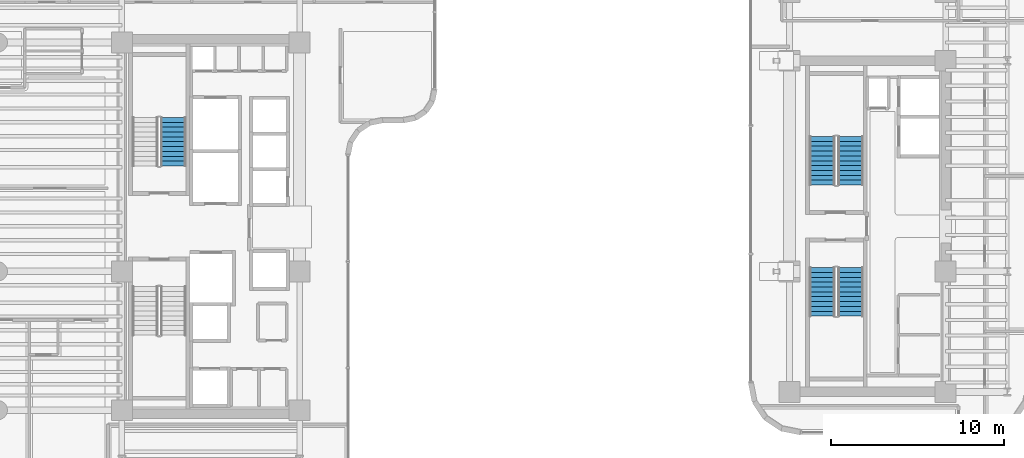
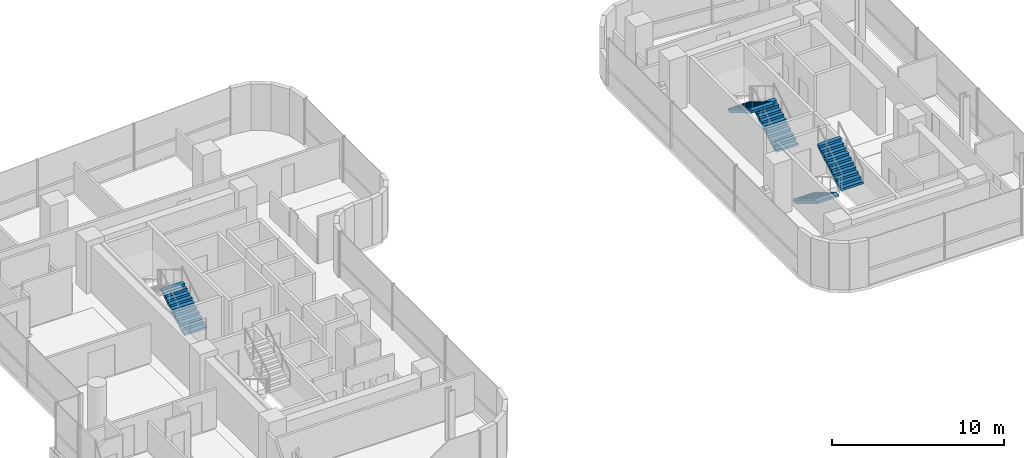
# One storey, part 31 of 35: 5 stair flights, 3 elements without a shape of their own.
"""IFC4 building model written with IfcOpenShell, lengths in metres."""

from ifc_helpers import new_model, si_unit, direction, frame, origin, place, context, subcontext, project, spatial, polyline, outline, extrude, material, type_object, element, aggregate, save


model = new_model("IFC4")

# Units and contexts
model_context = context("Model", 3, precision=1e-05, world=origin(), true_north=direction((0.0, 1.0)))
body_context = subcontext(model_context, "Body", "Model", "MODEL_VIEW")
ifc_project = project(units=[si_unit("LENGTHUNIT", "METRE"), si_unit("AREAUNIT", "SQUARE_METRE"), si_unit("VOLUMEUNIT", "CUBIC_METRE"), si_unit("PLANEANGLEUNIT", "RADIAN"), si_unit("MASSUNIT", "GRAM", prefix="KILO")], contexts=[model_context])

# Site, building, storey
site_placement = place(None, origin())
site = spatial("IfcSite", under=ifc_project, at=site_placement, CompositionType="ELEMENT")
building_placement = place(site_placement, origin())
building = spatial("IfcBuilding", under=site, at=building_placement, Name="Valdorenza Pilgrim Sanctuary Tower", CompositionType="ELEMENT")
storey_placement = place(building_placement, frame((0.0, 0.0, 168.60009765625)))
storey = spatial("IfcBuildingStorey", under=building, at=storey_placement, Name="L43", CompositionType="ELEMENT", Elevation=168.60009765625)

# Stair, stair flight
ifc_material = material(Name="Concrete C40/50", Category="concrete")
stair_type = type_object("IfcStairType", Name="STR-DOG-CORE", PredefinedType="HALF_TURN_STAIR", material=ifc_material)
stair_1_placement = place(storey_placement, origin())
stair_1 = element("IfcStair", 1, at=stair_1_placement, inside=storey, type_object=stair_type, Name="L43 ST-A1", PredefinedType="HALF_TURN_STAIR")
stair_flight_type = type_object("IfcStairFlightType", Name="STF-RC-1400", PredefinedType="STRAIGHT", material=ifc_material)
stair_flight_1_placement = place(storey_placement, frame((-19.679931640625, 3.47998046875, 0.0), z_axis=(0.0, 0.0, 1.0), x_axis=(0.0, 1.0, 0.0)))
stair_flight_1 = element("IfcStairFlight", 2, at=stair_flight_1_placement, type_object=stair_flight_type, Name="ST-A1 flight 1", NumberOfRisers=11, NumberOfTreads=10, PredefinedType="STRAIGHT", RiserHeight=0.168181818, TreadLength=0.28, context=body_context, shape_type="SweptSolid", body=[
    extrude(outline(polyline([(0.0, 0.0), (0.0, 0.168212890625), (0.280029296875, 0.168212890625), (0.280029296875, 0.33642578125), (0.56005859375, 0.33642578125), (0.56005859375, 0.504638671875), (0.840087890625, 0.504638671875), (0.840087890625, 0.672607421875), (1.1201171875, 0.672607421875), (1.1201171875, 0.8408203125), (1.39990234375, 0.8408203125), (1.39990234375, 1.009033203125), (1.679931640625, 1.009033203125), (1.679931640625, 1.17724609375), (1.9599609375, 1.17724609375), (1.9599609375, 1.345458984375), (2.239990234375, 1.345458984375), (2.239990234375, 1.513671875), (2.52001953125, 1.513671875), (2.52001953125, 1.681884765625), (2.800048828125, 1.681884765625), (2.800048828125, 1.85009765625), (2.800048828125, 1.5068359375), (0.291015625, 0.0), (0.0, 0.0)])), frame((0.0, 0.739990234375, 0.0), z_axis=(0.0, -1.0, 0.0), x_axis=(1.0, 0.0, 0.0)), (0.0, 0.0, 1.0), 1.47998046875),
])
aggregate(stair_1, [stair_flight_1])

# Stair, stair flights
stair_2_placement = place(storey_placement, origin())
stair_2 = element("IfcStair", 3, at=stair_2_placement, inside=storey, type_object=stair_type, Name="L43 ST-B1", PredefinedType="HALF_TURN_STAIR")
stair_flight_2_placement = place(storey_placement, frame((19.3701171875, 2.3798828125, 0.0), z_axis=(0.0, 0.0, 1.0), x_axis=(0.0, 1.0, 0.0)))
stair_flight_2 = element("IfcStairFlight", 4, at=stair_flight_2_placement, type_object=stair_flight_type, Name="ST-B1 flight 1", NumberOfRisers=11, NumberOfTreads=10, PredefinedType="STRAIGHT", RiserHeight=0.168181818, TreadLength=0.28, context=body_context, shape_type="SweptSolid", body=[
    extrude(outline(polyline([(0.0, 0.0), (0.0, 0.168212890625), (0.280029296875, 0.168212890625), (0.280029296875, 0.33642578125), (0.56005859375, 0.33642578125), (0.56005859375, 0.504638671875), (0.840087890625, 0.504638671875), (0.840087890625, 0.672607421875), (1.1201171875, 0.672607421875), (1.1201171875, 0.8408203125), (1.39990234375, 0.8408203125), (1.39990234375, 1.009033203125), (1.679931640625, 1.009033203125), (1.679931640625, 1.17724609375), (1.9599609375, 1.17724609375), (1.9599609375, 1.345458984375), (2.239990234375, 1.345458984375), (2.239990234375, 1.513671875), (2.52001953125, 1.513671875), (2.52001953125, 1.681884765625), (2.800048828125, 1.681884765625), (2.800048828125, 1.85009765625), (2.800048828125, 1.5068359375), (0.291015625, 0.0), (0.0, 0.0)])), frame((0.0, 0.739990234375, 0.0), z_axis=(0.0, -1.0, 0.0), x_axis=(1.0, 0.0, 0.0)), (0.0, 0.0, 1.0), 1.47998046875),
])
stair_flight_3_placement = place(storey_placement, frame((17.739990234375, 5.179931640625, 1.849853515625), z_axis=(0.0, 0.0, 1.0), x_axis=(0.0, -1.0, 0.0)))
stair_flight_3 = element("IfcStairFlight", 5, at=stair_flight_3_placement, type_object=stair_flight_type, Name="ST-B1 flight 2", NumberOfRisers=11, NumberOfTreads=10, PredefinedType="STRAIGHT", RiserHeight=0.168181818, TreadLength=0.28, context=body_context, shape_type="SweptSolid", body=[
    extrude(outline(polyline([(0.0, 0.0), (0.0, 0.168212890625), (0.280029296875, 0.168212890625), (0.280029296875, 0.33642578125), (0.56005859375, 0.33642578125), (0.56005859375, 0.504638671875), (0.840087890625, 0.504638671875), (0.840087890625, 0.672607421875), (1.1201171875, 0.672607421875), (1.1201171875, 0.8408203125), (1.39990234375, 0.8408203125), (1.39990234375, 1.009033203125), (1.679931640625, 1.009033203125), (1.679931640625, 1.17724609375), (1.9599609375, 1.17724609375), (1.9599609375, 1.345458984375), (2.239990234375, 1.345458984375), (2.239990234375, 1.513671875), (2.52001953125, 1.513671875), (2.52001953125, 1.681884765625), (2.800048828125, 1.681884765625), (2.800048828125, 1.85009765625), (2.800048828125, 1.5068359375), (0.291015625, 0.0), (0.0, 0.0)])), frame((0.0, 0.739990234375, 0.0), z_axis=(0.0, -1.0, 0.0), x_axis=(1.0, 0.0, 0.0)), (0.0, 0.0, 1.0), 1.47998046875),
])
aggregate(stair_2, [stair_flight_2, stair_flight_3])

stair_3_placement = place(storey_placement, origin())
stair_3 = element("IfcStair", 6, at=stair_3_placement, inside=storey, type_object=stair_type, Name="L43 ST-B2", PredefinedType="HALF_TURN_STAIR")
stair_flight_4_placement = place(storey_placement, frame((17.739990234375, -2.3798828125, 0.0), z_axis=(0.0, 0.0, 1.0), x_axis=(0.0, -1.0, 0.0)))
stair_flight_4 = element("IfcStairFlight", 7, at=stair_flight_4_placement, type_object=stair_flight_type, Name="ST-B2 flight 1", NumberOfRisers=11, NumberOfTreads=10, PredefinedType="STRAIGHT", RiserHeight=0.168181818, TreadLength=0.28, context=body_context, shape_type="SweptSolid", body=[
    extrude(outline(polyline([(0.0, 0.0), (0.0, 0.168212890625), (0.280029296875, 0.168212890625), (0.280029296875, 0.33642578125), (0.56005859375, 0.33642578125), (0.56005859375, 0.504638671875), (0.840087890625, 0.504638671875), (0.840087890625, 0.672607421875), (1.1201171875, 0.672607421875), (1.1201171875, 0.8408203125), (1.39990234375, 0.8408203125), (1.39990234375, 1.009033203125), (1.679931640625, 1.009033203125), (1.679931640625, 1.17724609375), (1.9599609375, 1.17724609375), (1.9599609375, 1.345458984375), (2.239990234375, 1.345458984375), (2.239990234375, 1.513671875), (2.52001953125, 1.513671875), (2.52001953125, 1.681884765625), (2.800048828125, 1.681884765625), (2.800048828125, 1.85009765625), (2.800048828125, 1.5068359375), (0.291015625, 0.0), (0.0, 0.0)])), frame((0.0, 0.739990234375, 0.0), z_axis=(0.0, -1.0, 0.0), x_axis=(1.0, 0.0, 0.0)), (0.0, 0.0, 1.0), 1.47998046875),
])
stair_flight_5_placement = place(storey_placement, frame((19.3701171875, -5.179931640625, 1.849853515625), z_axis=(0.0, 0.0, 1.0), x_axis=(0.0, 1.0, 0.0)))
stair_flight_5 = element("IfcStairFlight", 8, at=stair_flight_5_placement, type_object=stair_flight_type, Name="ST-B2 flight 2", NumberOfRisers=11, NumberOfTreads=10, PredefinedType="STRAIGHT", RiserHeight=0.168181818, TreadLength=0.28, context=body_context, shape_type="SweptSolid", body=[
    extrude(outline(polyline([(0.0, 0.0), (0.0, 0.168212890625), (0.280029296875, 0.168212890625), (0.280029296875, 0.33642578125), (0.56005859375, 0.33642578125), (0.56005859375, 0.504638671875), (0.840087890625, 0.504638671875), (0.840087890625, 0.672607421875), (1.1201171875, 0.672607421875), (1.1201171875, 0.8408203125), (1.39990234375, 0.8408203125), (1.39990234375, 1.009033203125), (1.679931640625, 1.009033203125), (1.679931640625, 1.17724609375), (1.9599609375, 1.17724609375), (1.9599609375, 1.345458984375), (2.239990234375, 1.345458984375), (2.239990234375, 1.513671875), (2.52001953125, 1.513671875), (2.52001953125, 1.681884765625), (2.800048828125, 1.681884765625), (2.800048828125, 1.85009765625), (2.800048828125, 1.5068359375), (0.291015625, 0.0), (0.0, 0.0)])), frame((0.0, 0.739990234375, 0.0), z_axis=(0.0, -1.0, 0.0), x_axis=(1.0, 0.0, 0.0)), (0.0, 0.0, 1.0), 1.47998046875),
])
aggregate(stair_3, [stair_flight_4, stair_flight_5])

save(model, "model.ifc")
